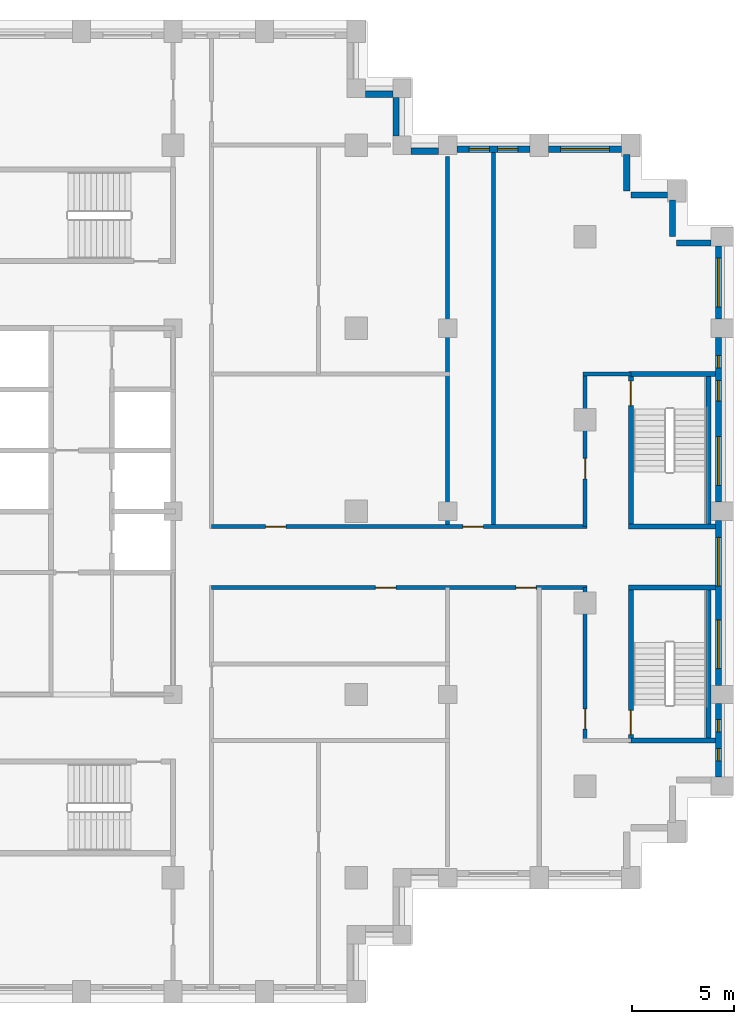
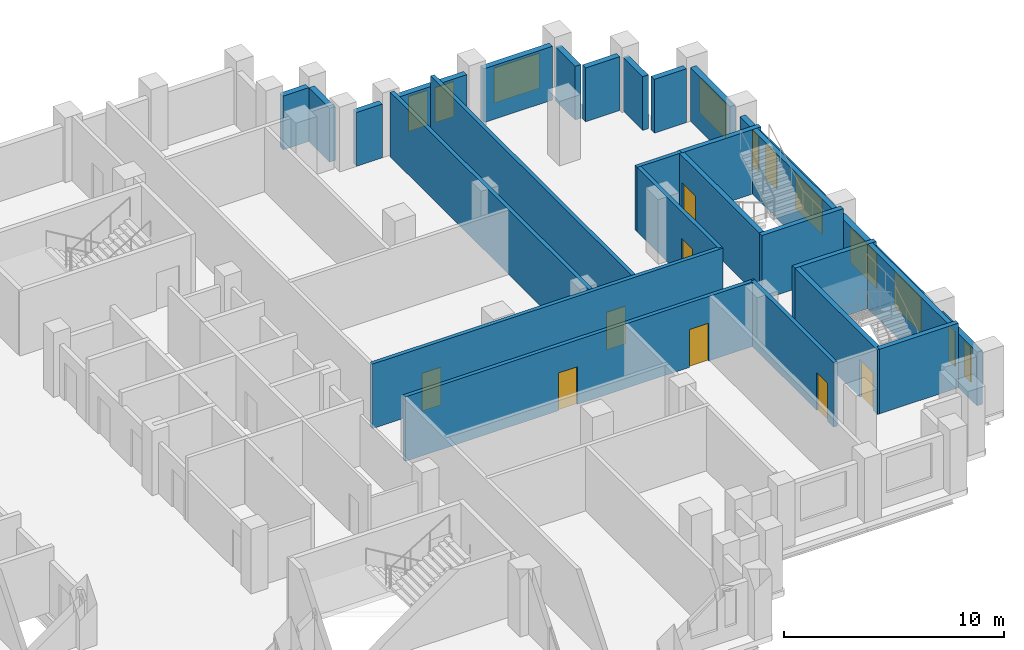
# One storey, part 12 of 16: 28 walls, 11 windows, 8 doors, 19 openings.
"""IFC4 building model written with IfcOpenShell, lengths in metres."""

from ifc_helpers import new_model, si_unit, direction, frame, frame_2d, origin, place, context, subcontext, project, spatial, rectangle, extrude, material, layer, layer_set, type_object, element, fill, save


model = new_model("IFC4")

# Units and contexts
model_context = context("Model", 3, precision=1e-05, world=origin(), true_north=direction((0.0, 1.0)))
body_context = subcontext(model_context, "Body", "Model", "MODEL_VIEW")
ifc_project = project(units=[si_unit("LENGTHUNIT", "METRE"), si_unit("AREAUNIT", "SQUARE_METRE"), si_unit("VOLUMEUNIT", "CUBIC_METRE"), si_unit("PLANEANGLEUNIT", "RADIAN"), si_unit("MASSUNIT", "GRAM", prefix="KILO")], contexts=[model_context])

# Site, building, storey
site_placement = place(None, origin())
site = spatial("IfcSite", under=ifc_project, at=site_placement, CompositionType="ELEMENT")
building_placement = place(site_placement, origin())
building = spatial("IfcBuilding", under=site, at=building_placement, Name="Corbelhall Arena Tower", CompositionType="ELEMENT")
storey_placement = place(building_placement, frame((0.0, 0.0, 174.0)))
storey = spatial("IfcBuildingStorey", under=building, at=storey_placement, Name="L35", CompositionType="ELEMENT", Elevation=174.0)

# Walls
ifc_material_1 = material(Name="Precast concrete C40/50 with granite facing", Category="masonry")
ifc_layer_1 = layer(ifc_material_1, 0.300048828125)
ifc_layer_set_1 = layer_set([ifc_layer_1], Name="EV-IW1 Infill panel 300")
wall_type_1 = type_object("IfcWallType", Name="EV-IW1 Infill panel 300", PredefinedType="SOLIDWALL", material=ifc_layer_set_1)
wall_1_placement = place(storey_placement, frame((39.949951171875, 13.199951171875, 0.0), z_axis=(0.0, 0.0, 1.0), x_axis=(-1.0, 0.0, 0.0)))
element("IfcWall", 1, at=wall_1_placement, inside=storey, type_object=wall_type_1, Name="Infill panel IW1", PredefinedType="SOLIDWALL", context=body_context, shape_type="SweptSolid", body=[
    extrude(rectangle(XDim=1.699951171875, YDim=0.300048828125, at=frame_2d((0.85009765625, 0.0))), origin(), (0.0, 0.0, 1.0), 2.989990234375),
])
for number, where, z_axis, x_axis, name in (
    (2, (38.050048828125, 15.300048828125, 0.0), (0.0, 0.0, 1.0), (0.0, -1.0, 0.0), "Infill panel IW1"),
    (3, (37.800048828125, 15.550048828125, 0.0), (0.0, 0.0, 1.0), (-1.0, 0.0, 0.0), "Infill panel IW1"),
    (4, (35.800048828125, 17.550048828125, 0.0), (0.0, 0.0, 1.0), (0.0, -1.0, 0.0), "Infill panel IW1"),
):
    element("IfcWall", number, at=place(storey_placement, frame(where, z_axis=z_axis, x_axis=x_axis)), inside=storey, type_object=wall_type_1, Name=name, PredefinedType="SOLIDWALL", context=body_context, shape_type="SweptSolid", body=[
        extrude(rectangle(XDim=1.800048828125, YDim=0.300048828125, at=frame_2d((0.89990234375, 0.0))), origin(), (0.0, 0.0, 1.0), 2.989990234375),
    ])

# Wall, openings, windows
wall_2_placement = place(storey_placement, frame((40.300048828125, -13.050048828125, 0.0), z_axis=(0.0, 0.0, 1.0), x_axis=(0.0, 1.0, 0.0)))
wall_2 = element("IfcWall", 5, at=wall_2_placement, inside=storey, type_object=wall_type_1, Name="Infill panel IW1", PredefinedType="SOLIDWALL", context=body_context, shape_type="SweptSolid", body=[
    extrude(rectangle(XDim=3.60009765625, YDim=0.300048828125, at=frame_2d((1.800048828125, 0.0))), origin(), (0.0, 0.0, 1.0), 2.989990234375),
])
opening_1_placement = place(wall_2_placement, frame((0.78759765625, 0.0, 0.800048828125)))
opening_1 = element("IfcOpeningElement", 6, at=opening_1_placement, cuts=wall_2, Name="Opening WN5", PredefinedType="OPENING", context=body_context, shape_type="SweptSolid", body=[
    extrude(rectangle(XDim=0.60009765625, YDim=1.949951171875, at=frame_2d((0.300048828125, 0.97509765625))), frame((0.0, 0.14990234375, 0.0), z_axis=(0.0, -1.0, 0.0), x_axis=(1.0, 0.0, 0.0)), (0.0, 0.0, 1.0), 0.300048828125),
])
opening_2_placement = place(wall_2_placement, frame((2.21240234375, 0.0, 0.800048828125)))
opening_2 = element("IfcOpeningElement", 7, at=opening_2_placement, cuts=wall_2, Name="Opening WN5", PredefinedType="OPENING", context=body_context, shape_type="SweptSolid", body=[
    extrude(rectangle(XDim=0.60009765625, YDim=1.949951171875, at=frame_2d((0.300048828125, 0.97509765625))), frame((0.0, 0.14990234375, 0.0), z_axis=(0.0, -1.0, 0.0), x_axis=(1.0, 0.0, 0.0)), (0.0, 0.0, 1.0), 0.300048828125),
])
ifc_material_2 = material(Name="Aluminium black anodised", Category="aluminium")
window_type_1 = type_object("IfcWindowType", Name="EV-WN5 Office window 600", PartitioningType="SINGLE_PANEL", PredefinedType="WINDOW", material=ifc_material_2)
window_1_placement = place(opening_1_placement, origin())
window_1 = element("IfcWindow", 8, at=window_1_placement, inside=storey, type_object=window_type_1, Name="Window WN5", OverallHeight=1.949951171875, OverallWidth=0.60009765625, PartitioningType="SINGLE_PANEL", PredefinedType="WINDOW", context=body_context, shape_type="SweptSolid", body=[
    extrude(rectangle(XDim=0.60009765625, YDim=1.949951171875, at=frame_2d((0.300048828125, 0.97509765625))), frame((0.0, 0.030029296875, 0.0), z_axis=(0.0, -1.0, 0.0), x_axis=(1.0, 0.0, 0.0)), (0.0, 0.0, 1.0), 0.06005859375),
])
fill(opening_1, window_1)
window_2_placement = place(opening_2_placement, origin())
window_2 = element("IfcWindow", 9, at=window_2_placement, inside=storey, type_object=window_type_1, Name="Window WN5", OverallHeight=1.949951171875, OverallWidth=0.60009765625, PartitioningType="SINGLE_PANEL", PredefinedType="WINDOW", context=body_context, shape_type="SweptSolid", body=[
    extrude(rectangle(XDim=0.60009765625, YDim=1.949951171875, at=frame_2d((0.300048828125, 0.97509765625))), frame((0.0, 0.030029296875, 0.0), z_axis=(0.0, -1.0, 0.0), x_axis=(1.0, 0.0, 0.0)), (0.0, 0.0, 1.0), 0.06005859375),
])
fill(opening_2, window_2)

wall_3_placement = place(storey_placement, frame((40.300048828125, -8.550048828125, 0.0), z_axis=(0.0, 0.0, 1.0), x_axis=(0.0, 1.0, 0.0)))
wall_3 = element("IfcWall", 10, at=wall_3_placement, inside=storey, type_object=wall_type_1, Name="Infill panel IW1", PredefinedType="SOLIDWALL", context=body_context, shape_type="SweptSolid", body=[
    extrude(rectangle(XDim=8.10009765625, YDim=0.300048828125, at=frame_2d((4.050048828125, 0.0))), origin(), (0.0, 0.0, 1.0), 2.989990234375),
])
opening_3_placement = place(wall_3_placement, frame((0.824951171875, 0.0, 0.800048828125)))
opening_3 = element("IfcOpeningElement", 11, at=opening_3_placement, cuts=wall_3, Name="Opening WN1", PredefinedType="OPENING", context=body_context, shape_type="SweptSolid", body=[
    extrude(rectangle(XDim=2.39990234375, YDim=1.949951171875, at=frame_2d((1.199951171875, 0.97509765625))), frame((0.0, 0.14990234375, 0.0), z_axis=(0.0, -1.0, 0.0), x_axis=(1.0, 0.0, 0.0)), (0.0, 0.0, 1.0), 0.300048828125),
])
opening_4_placement = place(wall_3_placement, frame((4.875, 0.0, 0.800048828125)))
opening_4 = element("IfcOpeningElement", 12, at=opening_4_placement, cuts=wall_3, Name="Opening WN1", PredefinedType="OPENING", context=body_context, shape_type="SweptSolid", body=[
    extrude(rectangle(XDim=2.39990234375, YDim=1.949951171875, at=frame_2d((1.199951171875, 0.97509765625))), frame((0.0, 0.14990234375, 0.0), z_axis=(0.0, -1.0, 0.0), x_axis=(1.0, 0.0, 0.0)), (0.0, 0.0, 1.0), 0.300048828125),
])
window_type_2 = type_object("IfcWindowType", Name="EV-WN1 Office window", PartitioningType="SINGLE_PANEL", PredefinedType="WINDOW", material=ifc_material_2)
window_3_placement = place(opening_3_placement, origin())
window_3 = element("IfcWindow", 13, at=window_3_placement, inside=storey, type_object=window_type_2, Name="Window WN1", OverallHeight=1.949951171875, OverallWidth=2.39990234375, PartitioningType="SINGLE_PANEL", PredefinedType="WINDOW", context=body_context, shape_type="SweptSolid", body=[
    extrude(rectangle(XDim=2.39990234375, YDim=1.949951171875, at=frame_2d((1.199951171875, 0.97509765625))), frame((0.0, 0.030029296875, 0.0), z_axis=(0.0, -1.0, 0.0), x_axis=(1.0, 0.0, 0.0)), (0.0, 0.0, 1.0), 0.06005859375),
])
fill(opening_3, window_3)
window_4_placement = place(opening_4_placement, origin())
window_4 = element("IfcWindow", 14, at=window_4_placement, inside=storey, type_object=window_type_2, Name="Window WN1", OverallHeight=1.949951171875, OverallWidth=2.39990234375, PartitioningType="SINGLE_PANEL", PredefinedType="WINDOW", context=body_context, shape_type="SweptSolid", body=[
    extrude(rectangle(XDim=2.39990234375, YDim=1.949951171875, at=frame_2d((1.199951171875, 0.97509765625))), frame((0.0, 0.030029296875, 0.0), z_axis=(0.0, -1.0, 0.0), x_axis=(1.0, 0.0, 0.0)), (0.0, 0.0, 1.0), 0.06005859375),
])
fill(opening_4, window_4)

wall_4_placement = place(storey_placement, frame((40.300048828125, 0.449951171875, 0.0), z_axis=(0.0, 0.0, 1.0), x_axis=(0.0, 1.0, 0.0)))
wall_4 = element("IfcWall", 15, at=wall_4_placement, inside=storey, type_object=wall_type_1, Name="Infill panel IW1", PredefinedType="SOLIDWALL", context=body_context, shape_type="SweptSolid", body=[
    extrude(rectangle(XDim=8.10009765625, YDim=0.300048828125, at=frame_2d((4.050048828125, 0.0))), origin(), (0.0, 0.0, 1.0), 2.989990234375),
])
opening_5_placement = place(wall_4_placement, frame((0.824951171875, 0.0, 0.800048828125)))
opening_5 = element("IfcOpeningElement", 16, at=opening_5_placement, cuts=wall_4, Name="Opening WN1", PredefinedType="OPENING", context=body_context, shape_type="SweptSolid", body=[
    extrude(rectangle(XDim=2.39990234375, YDim=1.949951171875, at=frame_2d((1.199951171875, 0.97509765625))), frame((0.0, 0.14990234375, 0.0), z_axis=(0.0, -1.0, 0.0), x_axis=(1.0, 0.0, 0.0)), (0.0, 0.0, 1.0), 0.300048828125),
])
opening_6_placement = place(wall_4_placement, frame((4.97509765625, 0.0, 0.800048828125)))
opening_6 = element("IfcOpeningElement", 17, at=opening_6_placement, cuts=wall_4, Name="Opening WN6", PredefinedType="OPENING", context=body_context, shape_type="SweptSolid", body=[
    extrude(rectangle(XDim=1.0, YDim=1.949951171875, at=frame_2d((0.5, 0.97509765625))), frame((0.0, 0.14990234375, 0.0), z_axis=(0.0, -1.0, 0.0), x_axis=(1.0, 0.0, 0.0)), (0.0, 0.0, 1.0), 0.300048828125),
])
opening_7_placement = place(wall_4_placement, frame((6.60009765625, 0.0, 0.800048828125)))
opening_7 = element("IfcOpeningElement", 18, at=opening_7_placement, cuts=wall_4, Name="Opening WN5", PredefinedType="OPENING", context=body_context, shape_type="SweptSolid", body=[
    extrude(rectangle(XDim=0.60009765625, YDim=1.949951171875, at=frame_2d((0.300048828125, 0.97509765625))), frame((0.0, 0.14990234375, 0.0), z_axis=(0.0, -1.0, 0.0), x_axis=(1.0, 0.0, 0.0)), (0.0, 0.0, 1.0), 0.300048828125),
])
window_5_placement = place(opening_5_placement, origin())
window_5 = element("IfcWindow", 19, at=window_5_placement, inside=storey, type_object=window_type_2, Name="Window WN1", OverallHeight=1.949951171875, OverallWidth=2.39990234375, PartitioningType="SINGLE_PANEL", PredefinedType="WINDOW", context=body_context, shape_type="SweptSolid", body=[
    extrude(rectangle(XDim=2.39990234375, YDim=1.949951171875, at=frame_2d((1.199951171875, 0.97509765625))), frame((0.0, 0.030029296875, 0.0), z_axis=(0.0, -1.0, 0.0), x_axis=(1.0, 0.0, 0.0)), (0.0, 0.0, 1.0), 0.06005859375),
])
fill(opening_5, window_5)
window_6_placement = place(opening_7_placement, origin())
window_6 = element("IfcWindow", 20, at=window_6_placement, inside=storey, type_object=window_type_1, Name="Window WN5", OverallHeight=1.949951171875, OverallWidth=0.60009765625, PartitioningType="SINGLE_PANEL", PredefinedType="WINDOW", context=body_context, shape_type="SweptSolid", body=[
    extrude(rectangle(XDim=0.60009765625, YDim=1.949951171875, at=frame_2d((0.300048828125, 0.97509765625))), frame((0.0, 0.030029296875, 0.0), z_axis=(0.0, -1.0, 0.0), x_axis=(1.0, 0.0, 0.0)), (0.0, 0.0, 1.0), 0.06005859375),
])
fill(opening_7, window_6)
window_type_3 = type_object("IfcWindowType", Name="EV-WN6 Office window 1000", PartitioningType="SINGLE_PANEL", PredefinedType="WINDOW", material=ifc_material_2)
window_7_placement = place(opening_6_placement, origin())
window_7 = element("IfcWindow", 21, at=window_7_placement, inside=storey, type_object=window_type_3, Name="Window WN6", OverallHeight=1.949951171875, OverallWidth=1.0, PartitioningType="SINGLE_PANEL", PredefinedType="WINDOW", context=body_context, shape_type="SweptSolid", body=[
    extrude(rectangle(XDim=1.0, YDim=1.949951171875, at=frame_2d((0.5, 0.97509765625))), frame((0.0, 0.030029296875, 0.0), z_axis=(0.0, -1.0, 0.0), x_axis=(1.0, 0.0, 0.0)), (0.0, 0.0, 1.0), 0.06005859375),
])
fill(opening_6, window_7)

# Wall, opening, window
wall_5_placement = place(storey_placement, frame((40.300048828125, 9.449951171875, 0.0), z_axis=(0.0, 0.0, 1.0), x_axis=(0.0, 1.0, 0.0)))
wall_5 = element("IfcWall", 22, at=wall_5_placement, inside=storey, type_object=wall_type_1, Name="Infill panel IW1", PredefinedType="SOLIDWALL", context=body_context, shape_type="SweptSolid", body=[
    extrude(rectangle(XDim=3.60009765625, YDim=0.300048828125, at=frame_2d((1.800048828125, 0.0))), origin(), (0.0, 0.0, 1.0), 2.989990234375),
])
opening_8_placement = place(wall_5_placement, frame((0.60009765625, 0.0, 0.800048828125)))
opening_8 = element("IfcOpeningElement", 23, at=opening_8_placement, cuts=wall_5, Name="Opening WN1", PredefinedType="OPENING", context=body_context, shape_type="SweptSolid", body=[
    extrude(rectangle(XDim=2.39990234375, YDim=1.949951171875, at=frame_2d((1.199951171875, 0.97509765625))), frame((0.0, 0.14990234375, 0.0), z_axis=(0.0, -1.0, 0.0), x_axis=(1.0, 0.0, 0.0)), (0.0, 0.0, 1.0), 0.300048828125),
])
window_8_placement = place(opening_8_placement, origin())
window_8 = element("IfcWindow", 24, at=window_8_placement, inside=storey, type_object=window_type_2, Name="Window WN1", OverallHeight=1.949951171875, OverallWidth=2.39990234375, PartitioningType="SINGLE_PANEL", PredefinedType="WINDOW", context=body_context, shape_type="SweptSolid", body=[
    extrude(rectangle(XDim=2.39990234375, YDim=1.949951171875, at=frame_2d((1.199951171875, 0.97509765625))), frame((0.0, 0.030029296875, 0.0), z_axis=(0.0, -1.0, 0.0), x_axis=(1.0, 0.0, 0.0)), (0.0, 0.0, 1.0), 0.06005859375),
])
fill(opening_8, window_8)

wall_6_placement = place(storey_placement, frame((35.550048828125, 17.800048828125, 0.0), z_axis=(0.0, 0.0, 1.0), x_axis=(-1.0, 0.0, 0.0)))
wall_6 = element("IfcWall", 25, at=wall_6_placement, inside=storey, type_object=wall_type_1, Name="Infill panel IW1", PredefinedType="SOLIDWALL", context=body_context, shape_type="SweptSolid", body=[
    extrude(rectangle(XDim=3.60009765625, YDim=0.300048828125, at=frame_2d((1.800048828125, 0.0))), origin(), (0.0, 0.0, 1.0), 2.989990234375),
])
opening_9_placement = place(wall_6_placement, frame((0.60009765625, 0.0, 0.800048828125)))
opening_9 = element("IfcOpeningElement", 26, at=opening_9_placement, cuts=wall_6, Name="Opening WN1", PredefinedType="OPENING", context=body_context, shape_type="SweptSolid", body=[
    extrude(rectangle(XDim=2.39990234375, YDim=1.949951171875, at=frame_2d((1.199951171875, 0.97509765625))), frame((0.0, 0.14990234375, 0.0), z_axis=(0.0, -1.0, 0.0), x_axis=(1.0, 0.0, 0.0)), (0.0, 0.0, 1.0), 0.300048828125),
])
window_9_placement = place(opening_9_placement, origin())
window_9 = element("IfcWindow", 27, at=window_9_placement, inside=storey, type_object=window_type_2, Name="Window WN1", OverallHeight=1.949951171875, OverallWidth=2.39990234375, PartitioningType="SINGLE_PANEL", PredefinedType="WINDOW", context=body_context, shape_type="SweptSolid", body=[
    extrude(rectangle(XDim=2.39990234375, YDim=1.949951171875, at=frame_2d((1.199951171875, 0.97509765625))), frame((0.0, 0.030029296875, 0.0), z_axis=(0.0, -1.0, 0.0), x_axis=(1.0, 0.0, 0.0)), (0.0, 0.0, 1.0), 0.06005859375),
])
fill(opening_9, window_9)

# Wall, openings, windows
wall_7_placement = place(storey_placement, frame((31.050048828125, 17.800048828125, 0.0), z_axis=(0.0, 0.0, 1.0), x_axis=(-1.0, 0.0, 0.0)))
wall_7 = element("IfcWall", 28, at=wall_7_placement, inside=storey, type_object=wall_type_1, Name="Infill panel IW1", PredefinedType="SOLIDWALL", context=body_context, shape_type="SweptSolid", body=[
    extrude(rectangle(XDim=3.60009765625, YDim=0.300048828125, at=frame_2d((1.800048828125, 0.0))), origin(), (0.0, 0.0, 1.0), 2.989990234375),
])
opening_10_placement = place(wall_7_placement, frame((0.60009765625, 0.0, 0.800048828125)))
opening_10 = element("IfcOpeningElement", 29, at=opening_10_placement, cuts=wall_7, Name="Opening WN6", PredefinedType="OPENING", context=body_context, shape_type="SweptSolid", body=[
    extrude(rectangle(XDim=1.0, YDim=1.949951171875, at=frame_2d((0.5, 0.97509765625))), frame((0.0, 0.14990234375, 0.0), z_axis=(0.0, -1.0, 0.0), x_axis=(1.0, 0.0, 0.0)), (0.0, 0.0, 1.0), 0.300048828125),
])
opening_11_placement = place(wall_7_placement, frame((2.0, 0.0, 0.800048828125)))
opening_11 = element("IfcOpeningElement", 30, at=opening_11_placement, cuts=wall_7, Name="Opening WN6", PredefinedType="OPENING", context=body_context, shape_type="SweptSolid", body=[
    extrude(rectangle(XDim=1.0, YDim=1.949951171875, at=frame_2d((0.5, 0.97509765625))), frame((0.0, 0.14990234375, 0.0), z_axis=(0.0, -1.0, 0.0), x_axis=(1.0, 0.0, 0.0)), (0.0, 0.0, 1.0), 0.300048828125),
])
window_10_placement = place(opening_10_placement, origin())
window_10 = element("IfcWindow", 31, at=window_10_placement, inside=storey, type_object=window_type_3, Name="Window WN6", OverallHeight=1.949951171875, OverallWidth=1.0, PartitioningType="SINGLE_PANEL", PredefinedType="WINDOW", context=body_context, shape_type="SweptSolid", body=[
    extrude(rectangle(XDim=1.0, YDim=1.949951171875, at=frame_2d((0.5, 0.97509765625))), frame((0.0, 0.030029296875, 0.0), z_axis=(0.0, -1.0, 0.0), x_axis=(1.0, 0.0, 0.0)), (0.0, 0.0, 1.0), 0.06005859375),
])
fill(opening_10, window_10)
window_11_placement = place(opening_11_placement, origin())
window_11 = element("IfcWindow", 32, at=window_11_placement, inside=storey, type_object=window_type_3, Name="Window WN6", OverallHeight=1.949951171875, OverallWidth=1.0, PartitioningType="SINGLE_PANEL", PredefinedType="WINDOW", context=body_context, shape_type="SweptSolid", body=[
    extrude(rectangle(XDim=1.0, YDim=1.949951171875, at=frame_2d((0.5, 0.97509765625))), frame((0.0, 0.030029296875, 0.0), z_axis=(0.0, -1.0, 0.0), x_axis=(1.0, 0.0, 0.0)), (0.0, 0.0, 1.0), 0.06005859375),
])
fill(opening_11, window_11)

# Walls
wall_8_placement = place(storey_placement, frame((26.550048828125, 17.699951171875, 0.0), z_axis=(0.0, 0.0, 1.0), x_axis=(-1.0, 0.0, 0.0)))
element("IfcWall", 33, at=wall_8_placement, inside=storey, type_object=wall_type_1, Name="Infill panel IW1", PredefinedType="SOLIDWALL", context=body_context, shape_type="SweptSolid", body=[
    extrude(rectangle(XDim=1.35009765625, YDim=0.300048828125, at=frame_2d((0.675048828125, 0.0))), origin(), (0.0, 0.0, 1.0), 2.989990234375),
])
wall_9_placement = place(storey_placement, frame((24.449951171875, 18.449951171875, 0.0), z_axis=(0.0, 0.0, 1.0), x_axis=(0.0, 1.0, 0.0)))
element("IfcWall", 34, at=wall_9_placement, inside=storey, type_object=wall_type_1, Name="Infill panel IW1", PredefinedType="SOLIDWALL", context=body_context, shape_type="SweptSolid", body=[
    extrude(rectangle(XDim=1.900146484375, YDim=0.300048828125, at=frame_2d((0.9501953125, 0.0))), origin(), (0.0, 0.0, 1.0), 2.989990234375),
])
wall_10_placement = place(storey_placement, frame((24.300048828125, 20.5, 0.0), z_axis=(0.0, 0.0, 1.0), x_axis=(-1.0, 0.0, 0.0)))
element("IfcWall", 35, at=wall_10_placement, inside=storey, type_object=wall_type_1, Name="Infill panel IW1", PredefinedType="SOLIDWALL", context=body_context, shape_type="SweptSolid", body=[
    extrude(rectangle(XDim=1.35009765625, YDim=0.300048828125, at=frame_2d((0.675048828125, 0.0))), origin(), (0.0, 0.0, 1.0), 2.989990234375),
])

# Wall, openings, doors
ifc_material_3 = material(Name="Gypsum board on steel stud, acoustic", Category="steel")
ifc_layer_2 = layer(ifc_material_3, 0.199951171875)
ifc_layer_set_2 = layer_set([ifc_layer_2], Name="IN-W-DM200")
wall_type_2 = type_object("IfcWallType", Name="IN-W-DM200", PredefinedType="PARTITIONING", material=ifc_layer_set_2)
wall_11_placement = place(storey_placement, frame((15.39990234375, -0.75, 0.0), z_axis=(0.0, 0.0, 1.0), x_axis=(1.0, 0.0, 0.0)))
wall_11 = element("IfcWall", 36, at=wall_11_placement, inside=storey, type_object=wall_type_2, Name="Partition 033", PredefinedType="PARTITIONING", context=body_context, shape_type="SweptSolid", body=[
    extrude(rectangle(XDim=18.4501953125, YDim=0.199951171875, at=frame_2d((9.22509765625, 0.0))), origin(), (0.0, 0.0, 1.0), 3.590087890625),
])
opening_12_placement = place(wall_11_placement, frame((2.64990234375, 0.0, 0.0)))
opening_12 = element("IfcOpeningElement", 37, at=opening_12_placement, cuts=wall_11, Name="Opening 10034", PredefinedType="OPENING", context=body_context, shape_type="SweptSolid", body=[
    extrude(rectangle(XDim=1.0, YDim=2.10009765625, at=frame_2d((0.5, 1.050048828125))), frame((0.0, 0.10009765625, 0.0), z_axis=(0.0, -1.0, 0.0), x_axis=(1.0, 0.0, 0.0)), (0.0, 0.0, 1.0), 0.199951171875),
])
opening_13_placement = place(wall_11_placement, frame((12.35009765625, 0.0, 0.0)))
opening_13 = element("IfcOpeningElement", 38, at=opening_13_placement, cuts=wall_11, Name="Opening 10045", PredefinedType="OPENING", context=body_context, shape_type="SweptSolid", body=[
    extrude(rectangle(XDim=1.0, YDim=2.10009765625, at=frame_2d((0.5, 1.050048828125))), frame((0.0, 0.10009765625, 0.0), z_axis=(0.0, -1.0, 0.0), x_axis=(1.0, 0.0, 0.0)), (0.0, 0.0, 1.0), 0.199951171875),
])
ifc_material_4 = material(Name="Steel door set", Category="steel")
door_type_1 = type_object("IfcDoorType", Name="IN-D-SW100", OperationType="NOTDEFINED", PredefinedType="DOOR", material=ifc_material_4)
door_1_placement = place(opening_12_placement, origin())
door_1 = element("IfcDoor", 39, at=door_1_placement, inside=storey, type_object=door_type_1, Name="Door 034", OperationType="SINGLE_SWING_LEFT", OverallHeight=2.10009765625, OverallWidth=1.0, PredefinedType="DOOR", context=body_context, shape_type="SweptSolid", body=[
    extrude(rectangle(XDim=1.0, YDim=2.10009765625, at=frame_2d((0.5, 1.050048828125))), frame((0.0, 0.02490234375, 0.0), z_axis=(0.0, -1.0, 0.0), x_axis=(1.0, 0.0, 0.0)), (0.0, 0.0, 1.0), 0.050048828125),
])
fill(opening_12, door_1)
door_2_placement = place(opening_13_placement, origin())
door_2 = element("IfcDoor", 40, at=door_2_placement, inside=storey, type_object=door_type_1, Name="Door 045", OperationType="SINGLE_SWING_RIGHT", OverallHeight=2.10009765625, OverallWidth=1.0, PredefinedType="DOOR", context=body_context, shape_type="SweptSolid", body=[
    extrude(rectangle(XDim=1.0, YDim=2.10009765625, at=frame_2d((0.5, 1.050048828125))), frame((0.0, 0.02490234375, 0.0), z_axis=(0.0, -1.0, 0.0), x_axis=(1.0, 0.0, 0.0)), (0.0, 0.0, 1.0), 0.050048828125),
])
fill(opening_13, door_2)

# Wall
wall_12_placement = place(storey_placement, frame((27.0, 17.449951171875, 0.0), z_axis=(0.0, 0.0, 1.0), x_axis=(0.0, -1.0, 0.0)))
element("IfcWall", 41, at=wall_12_placement, inside=storey, type_object=wall_type_2, Name="Partition 040", PredefinedType="PARTITIONING", context=body_context, shape_type="SweptSolid", body=[
    extrude(rectangle(XDim=18.199951171875, YDim=0.199951171875, at=frame_2d((9.10009765625, 0.0))), origin(), (0.0, 0.0, 1.0), 3.590087890625),
])

# Wall, openings, doors
wall_13_placement = place(storey_placement, frame((33.85009765625, -3.75, 0.0), z_axis=(0.0, 0.0, 1.0), x_axis=(-1.0, 0.0, 0.0)))
wall_13 = element("IfcWall", 42, at=wall_13_placement, inside=storey, type_object=wall_type_2, Name="Partition 041", PredefinedType="PARTITIONING", context=body_context, shape_type="SweptSolid", body=[
    extrude(rectangle(XDim=18.4501953125, YDim=0.199951171875, at=frame_2d((9.22509765625, 0.0))), origin(), (0.0, 0.0, 1.0), 3.590087890625),
])
opening_14_placement = place(wall_13_placement, frame((9.39990234375, 0.0, 0.0)))
opening_14 = element("IfcOpeningElement", 43, at=opening_14_placement, cuts=wall_13, Name="Opening 10041", PredefinedType="OPENING", context=body_context, shape_type="SweptSolid", body=[
    extrude(rectangle(XDim=1.0, YDim=2.10009765625, at=frame_2d((0.5, 1.050048828125))), frame((0.0, 0.10009765625, 0.0), z_axis=(0.0, -1.0, 0.0), x_axis=(1.0, 0.0, 0.0)), (0.0, 0.0, 1.0), 0.199951171875),
])
opening_15_placement = place(wall_13_placement, frame((2.5, 0.0, 0.0)))
opening_15 = element("IfcOpeningElement", 44, at=opening_15_placement, cuts=wall_13, Name="Opening 10047", PredefinedType="OPENING", context=body_context, shape_type="SweptSolid", body=[
    extrude(rectangle(XDim=1.0, YDim=2.10009765625, at=frame_2d((0.5, 1.050048828125))), frame((0.0, 0.10009765625, 0.0), z_axis=(0.0, -1.0, 0.0), x_axis=(1.0, 0.0, 0.0)), (0.0, 0.0, 1.0), 0.199951171875),
])
door_3_placement = place(opening_14_placement, origin())
door_3 = element("IfcDoor", 45, at=door_3_placement, inside=storey, type_object=door_type_1, Name="Door 041", OperationType="SINGLE_SWING_RIGHT", OverallHeight=2.10009765625, OverallWidth=1.0, PredefinedType="DOOR", context=body_context, shape_type="SweptSolid", body=[
    extrude(rectangle(XDim=1.0, YDim=2.10009765625, at=frame_2d((0.5, 1.050048828125))), frame((0.0, 0.02490234375, 0.0), z_axis=(0.0, -1.0, 0.0), x_axis=(1.0, 0.0, 0.0)), (0.0, 0.0, 1.0), 0.050048828125),
])
fill(opening_14, door_3)
door_4_placement = place(opening_15_placement, origin())
door_4 = element("IfcDoor", 46, at=door_4_placement, inside=storey, type_object=door_type_1, Name="Door 047", OperationType="SINGLE_SWING_RIGHT", OverallHeight=2.10009765625, OverallWidth=1.0, PredefinedType="DOOR", context=body_context, shape_type="SweptSolid", body=[
    extrude(rectangle(XDim=1.0, YDim=2.10009765625, at=frame_2d((0.5, 1.050048828125))), frame((0.0, 0.02490234375, 0.0), z_axis=(0.0, -1.0, 0.0), x_axis=(1.0, 0.0, 0.0)), (0.0, 0.0, 1.0), 0.050048828125),
])
fill(opening_15, door_4)

# Walls
wall_14_placement = place(storey_placement, frame((29.25, 17.64990234375, 0.0), z_axis=(0.0, 0.0, 1.0), x_axis=(0.0, -1.0, 0.0)))
element("IfcWall", 47, at=wall_14_placement, inside=storey, type_object=wall_type_2, Name="Partition 042", PredefinedType="PARTITIONING", context=body_context, shape_type="SweptSolid", body=[
    extrude(rectangle(XDim=18.39990234375, YDim=0.199951171875, at=frame_2d((9.199951171875, 0.0))), origin(), (0.0, 0.0, 1.0), 3.590087890625),
])
wall_15_placement = place(storey_placement, frame((33.64990234375, 6.75, 0.0), z_axis=(0.0, 0.0, 1.0), x_axis=(1.0, 0.0, 0.0)))
element("IfcWall", 48, at=wall_15_placement, inside=storey, type_object=wall_type_2, Name="Partition 044", PredefinedType="PARTITIONING", context=body_context, shape_type="SweptSolid", body=[
    extrude(rectangle(XDim=2.35009765625, YDim=0.199951171875, at=frame_2d((1.175048828125, 0.0))), origin(), (0.0, 0.0, 1.0), 3.590087890625),
])

# Wall, opening, door
wall_16_placement = place(storey_placement, frame((33.75, -11.25, 0.0), z_axis=(0.0, 0.0, 1.0), x_axis=(0.0, 1.0, 0.0)))
wall_16 = element("IfcWall", 49, at=wall_16_placement, inside=storey, type_object=wall_type_2, Name="Partition 045", PredefinedType="PARTITIONING", context=body_context, shape_type="SweptSolid", body=[
    extrude(rectangle(XDim=7.5, YDim=0.199951171875, at=frame_2d((3.75, 0.0))), origin(), (0.0, 0.0, 1.0), 3.590087890625),
])
opening_16_placement = place(wall_16_placement, frame((0.550048828125, 0.0, 0.0)))
opening_16 = element("IfcOpeningElement", 50, at=opening_16_placement, cuts=wall_16, Name="Opening 10048", PredefinedType="OPENING", context=body_context, shape_type="SweptSolid", body=[
    extrude(rectangle(XDim=1.0, YDim=2.10009765625, at=frame_2d((0.5, 1.050048828125))), frame((0.0, 0.10009765625, 0.0), z_axis=(0.0, -1.0, 0.0), x_axis=(1.0, 0.0, 0.0)), (0.0, 0.0, 1.0), 0.199951171875),
])
door_5_placement = place(opening_16_placement, origin())
door_5 = element("IfcDoor", 51, at=door_5_placement, inside=storey, type_object=door_type_1, Name="Door 048", OperationType="SINGLE_SWING_LEFT", OverallHeight=2.10009765625, OverallWidth=1.0, PredefinedType="DOOR", context=body_context, shape_type="SweptSolid", body=[
    extrude(rectangle(XDim=1.0, YDim=2.10009765625, at=frame_2d((0.5, 1.050048828125))), frame((0.0, 0.02490234375, 0.0), z_axis=(0.0, -1.0, 0.0), x_axis=(1.0, 0.0, 0.0)), (0.0, 0.0, 1.0), 0.050048828125),
])
fill(opening_16, door_5)

wall_17_placement = place(storey_placement, frame((33.75, -0.75, 0.0), z_axis=(0.0, 0.0, 1.0), x_axis=(0.0, 1.0, 0.0)))
wall_17 = element("IfcWall", 52, at=wall_17_placement, inside=storey, type_object=wall_type_2, Name="Partition 046", PredefinedType="PARTITIONING", context=body_context, shape_type="SweptSolid", body=[
    extrude(rectangle(XDim=7.5, YDim=0.199951171875, at=frame_2d((3.75, 0.0))), origin(), (0.0, 0.0, 1.0), 3.590087890625),
])
opening_17_placement = place(wall_17_placement, frame((2.35009765625, 0.0, 0.0)))
opening_17 = element("IfcOpeningElement", 53, at=opening_17_placement, cuts=wall_17, Name="Opening 10046", PredefinedType="OPENING", context=body_context, shape_type="SweptSolid", body=[
    extrude(rectangle(XDim=1.0, YDim=2.10009765625, at=frame_2d((0.5, 1.050048828125))), frame((0.0, 0.10009765625, 0.0), z_axis=(0.0, -1.0, 0.0), x_axis=(1.0, 0.0, 0.0)), (0.0, 0.0, 1.0), 0.199951171875),
])
door_6_placement = place(opening_17_placement, origin())
door_6 = element("IfcDoor", 54, at=door_6_placement, inside=storey, type_object=door_type_1, Name="Door 046", OperationType="SINGLE_SWING_LEFT", OverallHeight=2.10009765625, OverallWidth=1.0, PredefinedType="DOOR", context=body_context, shape_type="SweptSolid", body=[
    extrude(rectangle(XDim=1.0, YDim=2.10009765625, at=frame_2d((0.5, 1.050048828125))), frame((0.0, 0.02490234375, 0.0), z_axis=(0.0, -1.0, 0.0), x_axis=(1.0, 0.0, 0.0)), (0.0, 0.0, 1.0), 0.050048828125),
])
fill(opening_17, door_6)

# Wall
ifc_material_5 = material(Name="Concrete C40/50", Category="concrete")
ifc_layer_3 = layer(ifc_material_5, 0.25)
ifc_layer_set_3 = layer_set([ifc_layer_3], Name="IN-W-ST250")
wall_type_3 = type_object("IfcWallType", Name="IN-W-ST250", PredefinedType="SOLIDWALL", material=ifc_layer_set_3)
wall_18_placement = place(storey_placement, frame((35.875, -0.75, 0.0), z_axis=(0.0, 0.0, 1.0), x_axis=(1.0, 0.0, 0.0)))
element("IfcWall", 55, at=wall_18_placement, inside=storey, type_object=wall_type_3, Name="Shaft wall 104", PredefinedType="SOLIDWALL", context=body_context, shape_type="SweptSolid", body=[
    extrude(rectangle(XDim=4.27490234375, YDim=0.25, at=frame_2d((2.137451171875, 0.0))), origin(), (0.0, 0.0, 1.0), 3.590087890625),
])

# Wall, opening, door
wall_19_placement = place(storey_placement, frame((36.0, -11.375, 0.0), z_axis=(0.0, 0.0, 1.0), x_axis=(0.0, 1.0, 0.0)))
wall_19 = element("IfcWall", 56, at=wall_19_placement, inside=storey, type_object=wall_type_3, Name="Shaft wall 105", PredefinedType="SOLIDWALL", context=body_context, shape_type="SweptSolid", body=[
    extrude(rectangle(XDim=7.625, YDim=0.25, at=frame_2d((3.8125, 0.0))), origin(), (0.0, 0.0, 1.0), 3.590087890625),
])
opening_18_placement = place(wall_19_placement, frame((0.39990234375, 0.0, 0.0)))
opening_18 = element("IfcOpeningElement", 57, at=opening_18_placement, cuts=wall_19, Name="Opening 10020", PredefinedType="OPENING", context=body_context, shape_type="SweptSolid", body=[
    extrude(rectangle(XDim=1.199951171875, YDim=2.10009765625, at=frame_2d((0.60009765625, 1.050048828125))), frame((0.0, 0.125, 0.0), z_axis=(0.0, -1.0, 0.0), x_axis=(1.0, 0.0, 0.0)), (0.0, 0.0, 1.0), 0.25),
])
door_type_2 = type_object("IfcDoorType", Name="IN-D-ST120", OperationType="NOTDEFINED", PredefinedType="DOOR", material=ifc_material_4)
door_7_placement = place(opening_18_placement, origin())
door_7 = element("IfcDoor", 58, at=door_7_placement, inside=storey, type_object=door_type_2, Name="Door 020", OperationType="SINGLE_SWING_LEFT", OverallHeight=2.10009765625, OverallWidth=1.199951171875, PredefinedType="DOOR", context=body_context, shape_type="SweptSolid", body=[
    extrude(rectangle(XDim=1.199951171875, YDim=2.10009765625, at=frame_2d((0.60009765625, 1.050048828125))), frame((0.0, 0.02490234375, 0.0), z_axis=(0.0, -1.0, 0.0), x_axis=(1.0, 0.0, 0.0)), (0.0, 0.0, 1.0), 0.050048828125),
])
fill(opening_18, door_7)

wall_20_placement = place(storey_placement, frame((36.0, -0.75, 0.0), z_axis=(0.0, 0.0, 1.0), x_axis=(0.0, 1.0, 0.0)))
wall_20 = element("IfcWall", 59, at=wall_20_placement, inside=storey, type_object=wall_type_3, Name="Shaft wall 106", PredefinedType="SOLIDWALL", context=body_context, shape_type="SweptSolid", body=[
    extrude(rectangle(XDim=7.625, YDim=0.25, at=frame_2d((3.8125, 0.0))), origin(), (0.0, 0.0, 1.0), 3.590087890625),
])
opening_19_placement = place(wall_20_placement, frame((5.949951171875, 0.0, 0.0)))
opening_19 = element("IfcOpeningElement", 60, at=opening_19_placement, cuts=wall_20, Name="Opening 10021", PredefinedType="OPENING", context=body_context, shape_type="SweptSolid", body=[
    extrude(rectangle(XDim=1.199951171875, YDim=2.10009765625, at=frame_2d((0.60009765625, 1.050048828125))), frame((0.0, 0.125, 0.0), z_axis=(0.0, -1.0, 0.0), x_axis=(1.0, 0.0, 0.0)), (0.0, 0.0, 1.0), 0.25),
])
door_8_placement = place(opening_19_placement, origin())
door_8 = element("IfcDoor", 61, at=door_8_placement, inside=storey, type_object=door_type_2, Name="Door 021", OperationType="SINGLE_SWING_RIGHT", OverallHeight=2.10009765625, OverallWidth=1.199951171875, PredefinedType="DOOR", context=body_context, shape_type="SweptSolid", body=[
    extrude(rectangle(XDim=1.199951171875, YDim=2.10009765625, at=frame_2d((0.60009765625, 1.050048828125))), frame((0.0, 0.02490234375, 0.0), z_axis=(0.0, -1.0, 0.0), x_axis=(1.0, 0.0, 0.0)), (0.0, 0.0, 1.0), 0.050048828125),
])
fill(opening_19, door_8)

# Walls
for number, where, z_axis, x_axis, name in (
    (62, (36.0, 6.75, 0.0), (0.0, 0.0, 1.0), (1.0, 0.0, 0.0), "Shaft wall 107"),
    (63, (40.14990234375, -11.25, 0.0), (0.0, 0.0, 1.0), (-1.0, 0.0, 0.0), "Shaft wall 108"),
):
    element("IfcWall", number, at=place(storey_placement, frame(where, z_axis=z_axis, x_axis=x_axis)), inside=storey, type_object=wall_type_3, Name=name, PredefinedType="SOLIDWALL", context=body_context, shape_type="SweptSolid", body=[
        extrude(rectangle(XDim=4.14990234375, YDim=0.25, at=frame_2d((2.074951171875, 0.0))), origin(), (0.0, 0.0, 1.0), 3.590087890625),
    ])
wall_21_placement = place(storey_placement, frame((40.14990234375, -3.75, 0.0), z_axis=(0.0, 0.0, 1.0), x_axis=(-1.0, 0.0, 0.0)))
element("IfcWall", 64, at=wall_21_placement, inside=storey, type_object=wall_type_3, Name="Shaft wall 109", PredefinedType="SOLIDWALL", context=body_context, shape_type="SweptSolid", body=[
    extrude(rectangle(XDim=4.27490234375, YDim=0.25, at=frame_2d((2.137451171875, 0.0))), origin(), (0.0, 0.0, 1.0), 3.590087890625),
])
for number, where, z_axis, x_axis, name in (
    (65, (39.824951171875, -11.125, 0.0), (0.0, 0.0, 1.0), (0.0, 1.0, 0.0), "Shaft wall SD1 facade side"),
    (66, (39.824951171875, -0.625, 0.0), (0.0, 0.0, 1.0), (0.0, 1.0, 0.0), "Shaft wall SD2 facade side"),
):
    element("IfcWall", number, at=place(storey_placement, frame(where, z_axis=z_axis, x_axis=x_axis)), inside=storey, type_object=wall_type_3, Name=name, PredefinedType="SOLIDWALL", context=body_context, shape_type="SweptSolid", body=[
        extrude(rectangle(XDim=7.25, YDim=0.25, at=frame_2d((3.625, 0.0))), origin(), (0.0, 0.0, 1.0), 3.590087890625),
    ])

save(model, "model.ifc")
